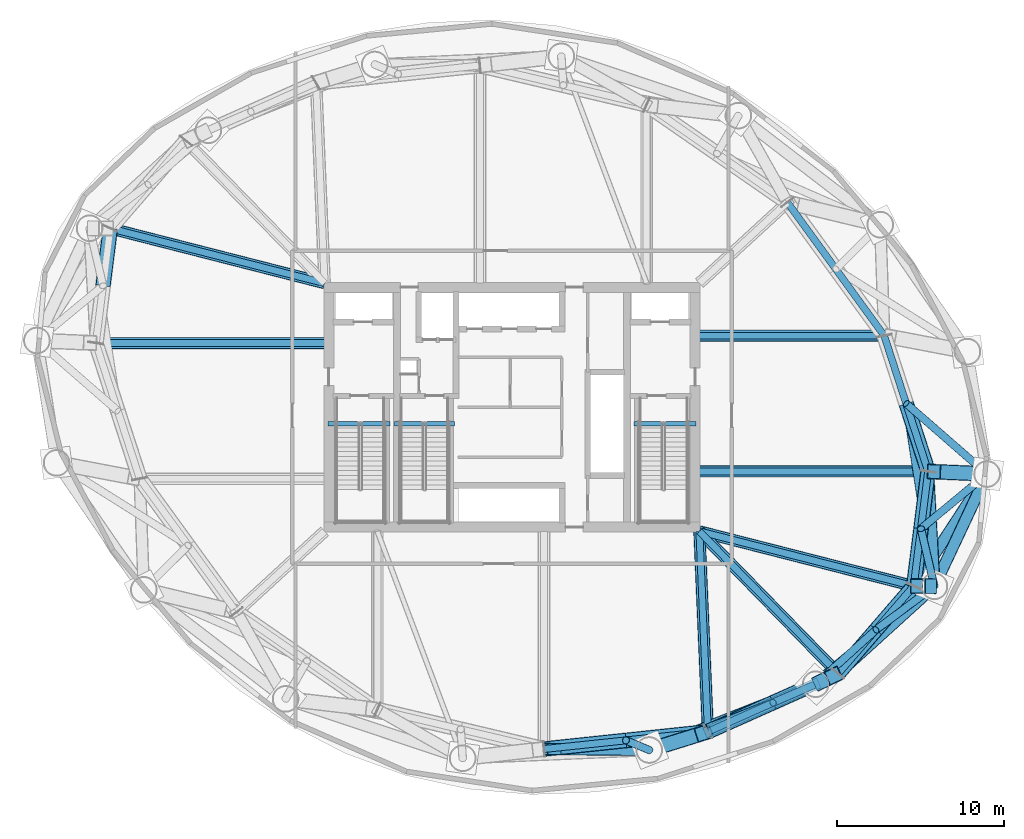
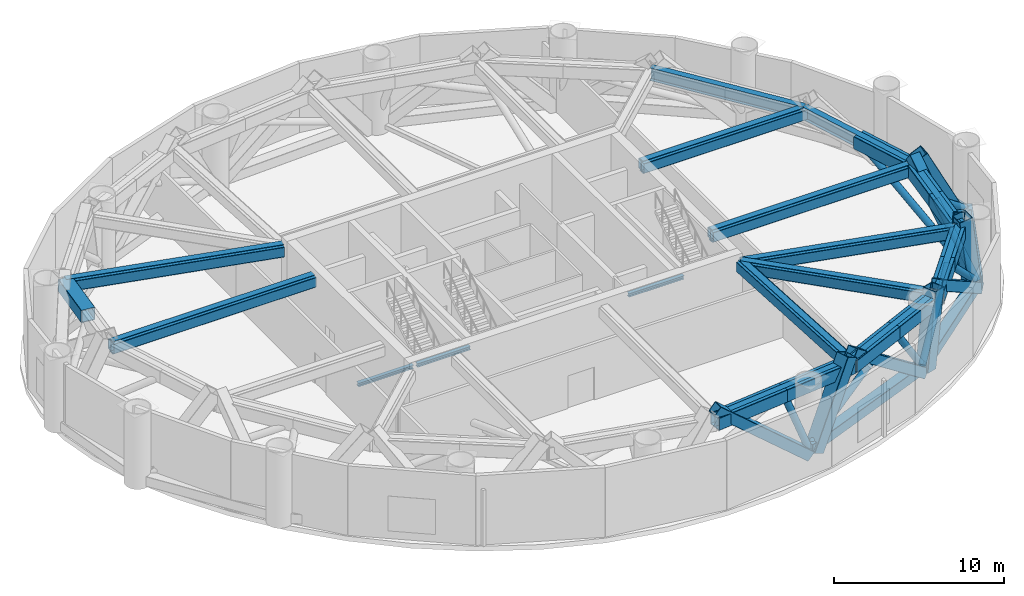
# One storey, part 2 of 13: 38 members, 16 beams.
"""IFC4 building model written with IfcOpenShell, lengths in metres."""

from ifc_helpers import new_model, si_unit, direction, frame, origin, origin_2d, place, context, subcontext, project, spatial, hollow_rectangle, hollow_circle, i_section, extrude, material, material_profile, profile_set, type_object, element, save


model = new_model("IFC4")

# Units and contexts
model_context = context("Model", 3, precision=1e-05, world=origin(), true_north=direction((0.0, 1.0)))
body_context = subcontext(model_context, "Body", "Model", "MODEL_VIEW")
ifc_project = project(units=[si_unit("LENGTHUNIT", "METRE"), si_unit("AREAUNIT", "SQUARE_METRE"), si_unit("VOLUMEUNIT", "CUBIC_METRE"), si_unit("PLANEANGLEUNIT", "RADIAN"), si_unit("MASSUNIT", "GRAM", prefix="KILO")], contexts=[model_context])

# Site, building, storey
site_placement = place(None, origin())
site = spatial("IfcSite", under=ifc_project, at=site_placement, CompositionType="ELEMENT")
building_placement = place(site_placement, origin())
building = spatial("IfcBuilding", under=site, at=building_placement, Name="Bramvorn Convention Spire", CompositionType="ELEMENT")
storey_placement = place(building_placement, frame((0.0, 0.0, 97.39990234375)))
storey = spatial("IfcBuildingStorey", under=building, at=storey_placement, Name="L23", CompositionType="ELEMENT", Elevation=97.39990234375)

# Beams
ifc_material = material(Name="Steel CSA G40.21 Grade 350 (350W)", Category="steel")
ifc_material_profile_1 = material_profile(ifc_material, i_section(OverallWidth=0.25390625, OverallDepth=0.2529296875, WebThickness=0.008544921875, FlangeThickness=0.01416015625, FilletRadius=0.011962890625, at=origin_2d()))
ifc_profile_set_1 = profile_set([ifc_material_profile_1], Name="Steel CSA G40.21 Grade 350 (350W) - W250X73")
beam_type_1 = type_object("IfcBeamType", Name="BM-W250X73", PredefinedType="BEAM", material=ifc_profile_set_1)
for number, where, z_axis, x_axis, name in (
    (1, (26.949951171875, 25.010009765625, -0.12646484375), (1.0, 0.0, 0.0), (0.0, 1.0, 0.0), "L23 ST1 stair arrival header beam"),
    (2, (45.31005859375, 25.010009765625, -0.12646484375), (1.0, 0.0, 0.0), (0.0, 1.0, 0.0), "L23 ST2 stair arrival header beam"),
):
    element("IfcBeam", number, at=place(storey_placement, frame(where, z_axis=z_axis, x_axis=x_axis)), inside=storey, type_object=beam_type_1, Name=name, PredefinedType="BEAM", context=body_context, shape_type="SweptSolid", body=[
        extrude(i_section(OverallWidth=0.25390625, OverallDepth=0.2529296875, WebThickness=0.008544921875, FlangeThickness=0.01416015625, FilletRadius=0.011962890625, at=origin_2d()), origin(), (0.0, 0.0, 1.0), 3.739990234375),
    ])
beam_1_placement = place(storey_placement, frame((30.949951171875, 25.010009765625, -0.12646484375), z_axis=(1.0, 0.0, 0.0), x_axis=(0.0, 1.0, 0.0)))
element("IfcBeam", 3, at=beam_1_placement, inside=storey, type_object=beam_type_1, Name="L23 ST3 stair arrival header beam", PredefinedType="BEAM", context=body_context, shape_type="SweptSolid", body=[
    extrude(i_section(OverallWidth=0.25390625, OverallDepth=0.2529296875, WebThickness=0.008544921875, FlangeThickness=0.01416015625, FilletRadius=0.011962890625, at=origin_2d()), origin(), (0.0, 0.0, 1.0), 3.610107421875),
])
ifc_material_profile_2 = material_profile(ifc_material, i_section(OverallWidth=0.41796875, OverallDepth=0.912109375, WebThickness=0.019287109375, FlangeThickness=0.031982421875, FilletRadius=0.02392578125, at=origin_2d()))
ifc_profile_set_2 = profile_set([ifc_material_profile_2], Name="Steel CSA G40.21 Grade 350 (350W) - W920X342")
beam_type_2 = type_object("IfcBeamType", Name="BM-W920X342", PredefinedType="BEAM", material=ifc_profile_set_2)
beam_2_placement = place(storey_placement, frame((62.11767578125, 15.26220703125, 4.524169921875), z_axis=(0.124775053879, 0.992185056292, 0.0), x_axis=(-0.992185056292, 0.124775053879, 0.0)))
element("IfcBeam", 4, at=beam_2_placement, inside=storey, type_object=beam_type_2, Name="L23 step-in transfer ring girder 01", PredefinedType="BEAM", context=body_context, shape_type="SweptSolid", body=[
    extrude(i_section(OverallWidth=0.41796875, OverallDepth=0.912109375, WebThickness=0.019287109375, FlangeThickness=0.031982421875, FilletRadius=0.02392578125, at=origin_2d()), origin(), (0.0, 0.0, 1.0), 6.940185546875),
])
beam_3_placement = place(storey_placement, frame((49.25, 18.550048828125, 4.524169921875), z_axis=(0.968872976577, -0.247558387576, 0.0), x_axis=(0.247558387576, 0.968872976577, 0.0)))
element("IfcBeam", 5, at=beam_3_placement, inside=storey, type_object=beam_type_2, Name="L23 step-in radial transfer girder MC01", PredefinedType="BEAM", context=body_context, shape_type="SweptSolid", body=[
    extrude(i_section(OverallWidth=0.41796875, OverallDepth=0.912109375, WebThickness=0.019287109375, FlangeThickness=0.031982421875, FilletRadius=0.02392578125, at=origin_2d()), origin(), (0.0, 0.0, 1.0), 13.281005859375),
])
beam_4_placement = place(storey_placement, frame((62.983642578125, 22.148193359375, 4.524169921875), z_axis=(-0.308114853612, 0.951349166701, 0.0), x_axis=(-0.951349166701, -0.308114853612, 0.0)))
element("IfcBeam", 6, at=beam_4_placement, inside=storey, type_object=beam_type_2, Name="L23 step-in transfer ring girder 02", PredefinedType="BEAM", context=body_context, shape_type="SweptSolid", body=[
    extrude(i_section(OverallWidth=0.41796875, OverallDepth=0.912109375, WebThickness=0.019287109375, FlangeThickness=0.031982421875, FilletRadius=0.02392578125, at=origin_2d()), origin(), (0.0, 0.0, 1.0), 8.5615234375),
])
beam_5_placement = place(storey_placement, frame((49.25, 22.148193359375, 4.524169921875), z_axis=(1.0, 0.0, 0.0), x_axis=(0.0, 1.0, 0.0)))
element("IfcBeam", 7, at=beam_5_placement, inside=storey, type_object=beam_type_2, Name="L23 step-in radial transfer girder MC02", PredefinedType="BEAM", context=body_context, shape_type="SweptSolid", body=[
    extrude(i_section(OverallWidth=0.41796875, OverallDepth=0.912109375, WebThickness=0.019287109375, FlangeThickness=0.031982421875, FilletRadius=0.02392578125, at=origin_2d()), origin(), (0.0, 0.0, 1.0), 13.733642578125),
])
beam_6_placement = place(storey_placement, frame((60.345703125, 30.293212890625, 4.524169921875), z_axis=(-0.587401024629, 0.809296012757, 0.0), x_axis=(-0.809296012757, -0.587401024629, 0.0)))
element("IfcBeam", 8, at=beam_6_placement, inside=storey, type_object=beam_type_2, Name="L23 step-in transfer ring girder 03", PredefinedType="BEAM", context=body_context, shape_type="SweptSolid", body=[
    extrude(i_section(OverallWidth=0.41796875, OverallDepth=0.912109375, WebThickness=0.019287109375, FlangeThickness=0.031982421875, FilletRadius=0.02392578125, at=origin_2d()), origin(), (0.0, 0.0, 1.0), 9.892333984375),
])
beam_7_placement = place(storey_placement, frame((49.25, 30.293212890625, 4.524169921875), z_axis=(1.0, 0.0, 0.0), x_axis=(0.0, 1.0, 0.0)))
element("IfcBeam", 9, at=beam_7_placement, inside=storey, type_object=beam_type_2, Name="L23 step-in radial transfer girder MC03", PredefinedType="BEAM", context=body_context, shape_type="SweptSolid", body=[
    extrude(i_section(OverallWidth=0.41796875, OverallDepth=0.912109375, WebThickness=0.019287109375, FlangeThickness=0.031982421875, FilletRadius=0.02392578125, at=origin_2d()), origin(), (0.0, 0.0, 1.0), 11.095703125),
])
beam_8_placement = place(storey_placement, frame((26.75, 33.449951171875, 4.524169921875), z_axis=(-0.968872976577, 0.247558387576, 0.0), x_axis=(-0.247558387576, -0.968872976577, 0.0)))
element("IfcBeam", 10, at=beam_8_placement, inside=storey, type_object=beam_type_2, Name="L23 step-in radial transfer girder MC09", PredefinedType="BEAM", context=body_context, shape_type="SweptSolid", body=[
    extrude(i_section(OverallWidth=0.41796875, OverallDepth=0.912109375, WebThickness=0.019287109375, FlangeThickness=0.031982421875, FilletRadius=0.02392578125, at=origin_2d()), origin(), (0.0, 0.0, 1.0), 13.281005859375),
])
beam_9_placement = place(storey_placement, frame((26.75, 29.851806640625, 4.524169921875), z_axis=(-1.0, 0.0, 0.0), x_axis=(0.0, -1.0, 0.0)))
element("IfcBeam", 11, at=beam_9_placement, inside=storey, type_object=beam_type_2, Name="L23 step-in radial transfer girder MC10", PredefinedType="BEAM", context=body_context, shape_type="SweptSolid", body=[
    extrude(i_section(OverallWidth=0.41796875, OverallDepth=0.912109375, WebThickness=0.019287109375, FlangeThickness=0.031982421875, FilletRadius=0.02392578125, at=origin_2d()), origin(), (0.0, 0.0, 1.0), 13.733642578125),
])
beam_10_placement = place(storey_placement, frame((39.924072265625, 5.482666015625, 4.524169921875), z_axis=(0.994473491975, 0.104987969596, 0.0), x_axis=(-0.104987969596, 0.994473491975, 0.0)))
element("IfcBeam", 12, at=beam_10_placement, inside=storey, type_object=beam_type_2, Name="L23 step-in transfer ring girder 14", PredefinedType="BEAM", context=body_context, shape_type="SweptSolid", body=[
    extrude(i_section(OverallWidth=0.41796875, OverallDepth=0.912109375, WebThickness=0.019287109375, FlangeThickness=0.031982421875, FilletRadius=0.02392578125, at=origin_2d()), origin(), (0.0, 0.0, 1.0), 9.892333984375),
])
beam_11_placement = place(storey_placement, frame((49.76171875, 6.521240234375, 4.524169921875), z_axis=(0.913169534701, 0.407579931908, 0.0), x_axis=(-0.407579931908, 0.913169534701, 0.0)))
element("IfcBeam", 13, at=beam_11_placement, inside=storey, type_object=beam_type_2, Name="L23 step-in transfer ring girder 15", PredefinedType="BEAM", context=body_context, shape_type="SweptSolid", body=[
    extrude(i_section(OverallWidth=0.41796875, OverallDepth=0.912109375, WebThickness=0.019287109375, FlangeThickness=0.031982421875, FilletRadius=0.02392578125, at=origin_2d()), origin(), (0.0, 0.0, 1.0), 8.5615234375),
])
beam_12_placement = place(storey_placement, frame((49.25, 18.550048828125, 4.524169921875), z_axis=(0.042502657955, -0.999096353745, 0.0), x_axis=(0.999096353745, 0.042502657955, 0.0)))
element("IfcBeam", 14, at=beam_12_placement, inside=storey, type_object=beam_type_2, Name="L23 step-in radial transfer girder MC15", PredefinedType="BEAM", context=body_context, shape_type="SweptSolid", body=[
    extrude(i_section(OverallWidth=0.41796875, OverallDepth=0.912109375, WebThickness=0.019287109375, FlangeThickness=0.031982421875, FilletRadius=0.02392578125, at=origin_2d()), origin(), (0.0, 0.0, 1.0), 12.039794921875),
])
beam_13_placement = place(storey_placement, frame((57.579833984375, 10.0107421875, 4.524169921875), z_axis=(0.653824993824, 0.756645807132, 0.0), x_axis=(-0.756645807132, 0.653824993824, 0.0)))
element("IfcBeam", 15, at=beam_13_placement, inside=storey, type_object=beam_type_2, Name="L23 step-in transfer ring girder 16", PredefinedType="BEAM", context=body_context, shape_type="SweptSolid", body=[
    extrude(i_section(OverallWidth=0.41796875, OverallDepth=0.912109375, WebThickness=0.019287109375, FlangeThickness=0.031982421875, FilletRadius=0.02392578125, at=origin_2d()), origin(), (0.0, 0.0, 1.0), 6.9404296875),
])
beam_14_placement = place(storey_placement, frame((49.25, 18.550048828125, 4.524169921875), z_axis=(0.698272445638, -0.715832097397, 0.0), x_axis=(0.715832097397, 0.698272445638, 0.0)))
element("IfcBeam", 16, at=beam_14_placement, inside=storey, type_object=beam_type_2, Name="L23 step-in radial transfer girder MC16", PredefinedType="BEAM", context=body_context, shape_type="SweptSolid", body=[
    extrude(i_section(OverallWidth=0.41796875, OverallDepth=0.912109375, WebThickness=0.019287109375, FlangeThickness=0.031982421875, FilletRadius=0.02392578125, at=origin_2d()), origin(), (0.0, 0.0, 1.0), 11.92919921875),
])

# Members
ifc_material_profile_3 = material_profile(ifc_material, hollow_rectangle(XDim=0.699951171875, YDim=0.699951171875, WallThickness=0.034912109375, InnerFilletRadius=0.0009765625, OuterFilletRadius=0.034912109375, at=origin_2d()))
ifc_profile_set_3 = profile_set([ifc_material_profile_3], Name="Steel CSA G40.21 Grade 350 (350W) - BOX700X700X35")
member_type_1 = type_object("IfcMemberType", Name="MBR-BOX700X700X35", PredefinedType="CHORD", material=ifc_profile_set_3)
member_1_placement = place(storey_placement, frame((66.519775390625, 21.99169921875, 0.0), z_axis=(-0.454462410809, -0.69473694701, 0.557498422976), x_axis=(0.836852998605, -0.547427674425, 0.0)))
element("IfcMember", 17, at=member_1_placement, inside=storey, type_object=member_type_1, Name="L23 step-in secondary transfer strut MC01", PredefinedType="CHORD", context=body_context, shape_type="SweptSolid", body=[
    extrude(hollow_rectangle(XDim=0.699951171875, YDim=0.699951171875, WallThickness=0.034912109375, InnerFilletRadius=0.0009765625, OuterFilletRadius=0.034912109375, at=origin_2d()), origin(), (0.0, 0.0, 1.0), 9.686279296875),
])
member_2_placement = place(storey_placement, frame((49.25, 18.550048828125, 4.530029296875), z_axis=(0.968872976577, -0.247558387576, 0.0), x_axis=(0.247558387576, 0.968872976577, 0.0)))
element("IfcMember", 18, at=member_2_placement, inside=storey, type_object=member_type_1, Name="L23 outrigger top tie MC01", PredefinedType="CHORD", context=body_context, shape_type="SweptSolid", body=[
    extrude(hollow_rectangle(XDim=0.699951171875, YDim=0.699951171875, WallThickness=0.034912109375, InnerFilletRadius=0.0009765625, OuterFilletRadius=0.034912109375, at=origin_2d()), origin(), (0.0, 0.0, 1.0), 13.281005859375),
])
member_3_placement = place(storey_placement, frame((63.35888671875, 15.253662109375, 0.0), z_axis=(-0.042808386289, 0.786537949778, 0.616056406202), x_axis=(-0.998522168896, -0.054345912663, 0.0)))
element("IfcMember", 19, at=member_3_placement, inside=storey, type_object=member_type_1, Name="L23 step-in secondary transfer strut MC02", PredefinedType="CHORD", context=body_context, shape_type="SweptSolid", body=[
    extrude(hollow_rectangle(XDim=0.699951171875, YDim=0.699951171875, WallThickness=0.034912109375, InnerFilletRadius=0.0009765625, OuterFilletRadius=0.034912109375, at=origin_2d()), origin(), (0.0, 0.0, 1.0), 8.765625),
])
member_4_placement = place(storey_placement, frame((49.25, 22.148193359375, 4.530029296875), z_axis=(1.0, 0.0, 0.0), x_axis=(0.0, 1.0, 0.0)))
element("IfcMember", 20, at=member_4_placement, inside=storey, type_object=member_type_1, Name="L23 outrigger top tie MC02", PredefinedType="CHORD", context=body_context, shape_type="SweptSolid", body=[
    extrude(hollow_rectangle(XDim=0.699951171875, YDim=0.699951171875, WallThickness=0.034912109375, InnerFilletRadius=0.0009765625, OuterFilletRadius=0.034912109375, at=origin_2d()), origin(), (0.0, 0.0, 1.0), 13.733642578125),
])
member_5_placement = place(storey_placement, frame((49.25, 30.293212890625, 4.530029296875), z_axis=(1.0, 0.0, 0.0), x_axis=(0.0, 1.0, 0.0)))
element("IfcMember", 21, at=member_5_placement, inside=storey, type_object=member_type_1, Name="L23 outrigger top tie MC03", PredefinedType="CHORD", context=body_context, shape_type="SweptSolid", body=[
    extrude(hollow_rectangle(XDim=0.699951171875, YDim=0.699951171875, WallThickness=0.034912109375, InnerFilletRadius=0.0009765625, OuterFilletRadius=0.034912109375, at=origin_2d()), origin(), (0.0, 0.0, 1.0), 11.095703125),
])
member_6_placement = place(storey_placement, frame((26.75, 33.449951171875, 4.530029296875), z_axis=(-0.968872976577, 0.247558387576, 0.0), x_axis=(-0.247558387576, -0.968872976577, 0.0)))
element("IfcMember", 22, at=member_6_placement, inside=storey, type_object=member_type_1, Name="L23 outrigger top tie MC09", PredefinedType="CHORD", context=body_context, shape_type="SweptSolid", body=[
    extrude(hollow_rectangle(XDim=0.699951171875, YDim=0.699951171875, WallThickness=0.034912109375, InnerFilletRadius=0.0009765625, OuterFilletRadius=0.034912109375, at=origin_2d()), origin(), (0.0, 0.0, 1.0), 13.281005859375),
])
member_7_placement = place(storey_placement, frame((26.75, 29.851806640625, 4.530029296875), z_axis=(-1.0, 0.0, 0.0), x_axis=(0.0, -1.0, 0.0)))
element("IfcMember", 23, at=member_7_placement, inside=storey, type_object=member_type_1, Name="L23 outrigger top tie MC10", PredefinedType="CHORD", context=body_context, shape_type="SweptSolid", body=[
    extrude(hollow_rectangle(XDim=0.699951171875, YDim=0.699951171875, WallThickness=0.034912109375, InnerFilletRadius=0.0009765625, OuterFilletRadius=0.034912109375, at=origin_2d()), origin(), (0.0, 0.0, 1.0), 13.733642578125),
])
member_8_placement = place(storey_placement, frame((46.23779296875, 5.42333984375, 0.4501953125), z_axis=(0.93000950609, 0.367535465749, 0.0), x_axis=(-0.367535465749, 0.93000950609, 0.0)))
element("IfcMember", 24, at=member_8_placement, inside=storey, type_object=member_type_1, Name="L23 belt truss bottom chord 14", PredefinedType="CHORD", context=body_context, shape_type="SweptSolid", body=[
    extrude(hollow_rectangle(XDim=0.699951171875, YDim=0.699951171875, WallThickness=0.034912109375, InnerFilletRadius=0.0009765625, OuterFilletRadius=0.034912109375, at=origin_2d()), origin(), (0.0, 0.0, 1.0), 10.74169921875),
])
member_9_placement = place(storey_placement, frame((46.23779296875, 5.42333984375, 0.0), z_axis=(-0.759927540273, 0.007140574312, 0.649968572882), x_axis=(-0.009395973598, -0.999955856866, 0.0)))
element("IfcMember", 25, at=member_9_placement, inside=storey, type_object=member_type_1, Name="L23 step-in secondary transfer strut MC14", PredefinedType="CHORD", context=body_context, shape_type="SweptSolid", body=[
    extrude(hollow_rectangle(XDim=0.699951171875, YDim=0.699951171875, WallThickness=0.034912109375, InnerFilletRadius=0.0009765625, OuterFilletRadius=0.034912109375, at=origin_2d()), origin(), (0.0, 0.0, 1.0), 8.308349609375),
])
member_10_placement = place(storey_placement, frame((56.227783203125, 9.371337890625, 0.4501953125), z_axis=(0.771417680101, 0.636329130896, 0.0), x_axis=(-0.636329130896, 0.771417680101, 0.0)))
element("IfcMember", 26, at=member_10_placement, inside=storey, type_object=member_type_1, Name="L23 belt truss bottom chord 15", PredefinedType="CHORD", context=body_context, shape_type="SweptSolid", body=[
    extrude(hollow_rectangle(XDim=0.699951171875, YDim=0.699951171875, WallThickness=0.034912109375, InnerFilletRadius=0.0009765625, OuterFilletRadius=0.034912109375, at=origin_2d()), origin(), (0.0, 0.0, 1.0), 9.244140625),
])
member_11_placement = place(storey_placement, frame((56.227783203125, 9.371337890625, 0.0), z_axis=(-0.727053776821, -0.320469163323, 0.607200396055), x_axis=(0.403334814558, -0.915052472466, 0.0)))
element("IfcMember", 27, at=member_11_placement, inside=storey, type_object=member_type_1, Name="L23 step-in secondary transfer strut MC15", PredefinedType="CHORD", context=body_context, shape_type="SweptSolid", body=[
    extrude(hollow_rectangle(XDim=0.699951171875, YDim=0.699951171875, WallThickness=0.034912109375, InnerFilletRadius=0.0009765625, OuterFilletRadius=0.034912109375, at=origin_2d()), origin(), (0.0, 0.0, 1.0), 8.8935546875),
])
member_12_placement = place(storey_placement, frame((49.25, 18.550048828125, 4.530029296875), z_axis=(0.042502657955, -0.999096353745, 0.0), x_axis=(0.999096353745, 0.042502657955, 0.0)))
element("IfcMember", 28, at=member_12_placement, inside=storey, type_object=member_type_1, Name="L23 outrigger top tie MC15", PredefinedType="CHORD", context=body_context, shape_type="SweptSolid", body=[
    extrude(hollow_rectangle(XDim=0.699951171875, YDim=0.699951171875, WallThickness=0.034912109375, InnerFilletRadius=0.0009765625, OuterFilletRadius=0.034912109375, at=origin_2d()), origin(), (0.0, 0.0, 1.0), 12.039794921875),
])
member_13_placement = place(storey_placement, frame((63.35888671875, 15.253662109375, 0.4501953125), z_axis=(0.424701955478, 0.9053332254, 0.0), x_axis=(-0.9053332254, 0.424701955478, 0.0)))
element("IfcMember", 29, at=member_13_placement, inside=storey, type_object=member_type_1, Name="L23 belt truss bottom chord 16", PredefinedType="CHORD", context=body_context, shape_type="SweptSolid", body=[
    extrude(hollow_rectangle(XDim=0.699951171875, YDim=0.699951171875, WallThickness=0.034912109375, InnerFilletRadius=0.0009765625, OuterFilletRadius=0.034912109375, at=origin_2d()), origin(), (0.0, 0.0, 1.0), 7.442626953125),
])
member_14_placement = place(storey_placement, frame((63.35888671875, 15.253662109375, 0.0), z_axis=(-0.609005829752, -0.552507295591, 0.569076082476), x_axis=(0.671917134484, -0.740626332497, 0.0)))
element("IfcMember", 30, at=member_14_placement, inside=storey, type_object=member_type_1, Name="L23 step-in secondary transfer strut MC16", PredefinedType="CHORD", context=body_context, shape_type="SweptSolid", body=[
    extrude(hollow_rectangle(XDim=0.699951171875, YDim=0.699951171875, WallThickness=0.034912109375, InnerFilletRadius=0.0009765625, OuterFilletRadius=0.034912109375, at=origin_2d()), origin(), (0.0, 0.0, 1.0), 9.4892578125),
])
member_15_placement = place(storey_placement, frame((49.25, 18.550048828125, 4.530029296875), z_axis=(0.698272445638, -0.715832097397, 0.0), x_axis=(0.715832097397, 0.698272445638, 0.0)))
element("IfcMember", 31, at=member_15_placement, inside=storey, type_object=member_type_1, Name="L23 outrigger top tie MC16", PredefinedType="CHORD", context=body_context, shape_type="SweptSolid", body=[
    extrude(hollow_rectangle(XDim=0.699951171875, YDim=0.699951171875, WallThickness=0.034912109375, InnerFilletRadius=0.0009765625, OuterFilletRadius=0.034912109375, at=origin_2d()), origin(), (0.0, 0.0, 1.0), 11.92919921875),
])
ifc_material_profile_4 = material_profile(ifc_material, hollow_rectangle(XDim=0.89990234375, YDim=0.89990234375, WallThickness=0.044921875, InnerFilletRadius=0.0009765625, OuterFilletRadius=0.044921875, at=origin_2d()))
ifc_profile_set_4 = profile_set([ifc_material_profile_4], Name="Steel CSA G40.21 Grade 350 (350W) - BOX900X900X45")
member_type_2 = type_object("IfcMemberType", Name="MBR-BOX900X900X45", PredefinedType="CHORD", material=ifc_profile_set_4)
member_16_placement = place(storey_placement, frame((62.11767578125, 15.26220703125, 4.530029296875), z_axis=(0.124736070028, 0.992189958039, 0.0), x_axis=(-0.992189958039, 0.124736070028, 0.0)))
element("IfcMember", 32, at=member_16_placement, inside=storey, type_object=member_type_2, Name="L23 belt truss top chord 1A", PredefinedType="CHORD", context=body_context, shape_type="SweptSolid", body=[
    extrude(hollow_rectangle(XDim=0.89990234375, YDim=0.89990234375, WallThickness=0.044921875, InnerFilletRadius=0.0009765625, OuterFilletRadius=0.044921875, at=origin_2d()), origin(), (0.0, 0.0, 1.0), 3.47021484375),
])
member_17_placement = place(storey_placement, frame((62.550537109375, 18.705322265625, 4.530029296875), z_axis=(0.124814039917, 0.992180152714, 0.0), x_axis=(-0.992180152714, 0.124814039917, 0.0)))
element("IfcMember", 33, at=member_17_placement, inside=storey, type_object=member_type_2, Name="L23 belt truss top chord 1B", PredefinedType="CHORD", context=body_context, shape_type="SweptSolid", body=[
    extrude(hollow_rectangle(XDim=0.89990234375, YDim=0.89990234375, WallThickness=0.044921875, InnerFilletRadius=0.0009765625, OuterFilletRadius=0.044921875, at=origin_2d()), origin(), (0.0, 0.0, 1.0), 3.469970703125),
])
member_18_placement = place(storey_placement, frame((63.048583984375, 15.255859375, 0.0), z_axis=(-0.125409144189, 0.000852208061, 0.992104742603), x_axis=(-0.006795265138, -0.999976911919, 0.0)))
element("IfcMember", 34, at=member_18_placement, inside=storey, type_object=member_type_2, Name="L23 step-in mega-column transfer strut MC01", PredefinedType="CHORD", context=body_context, shape_type="SweptSolid", body=[
    extrude(hollow_rectangle(XDim=0.89990234375, YDim=0.89990234375, WallThickness=0.044921875, InnerFilletRadius=0.0009765625, OuterFilletRadius=0.044921875, at=origin_2d()), origin(), (0.0, 0.0, 1.0), 5.443115234375),
])
member_19_placement = place(storey_placement, frame((62.983642578125, 22.148193359375, 4.530029296875), z_axis=(-0.308089044476, 0.951357525158, 0.0), x_axis=(-0.951357525158, -0.308089044476, 0.0)))
element("IfcMember", 35, at=member_19_placement, inside=storey, type_object=member_type_2, Name="L23 belt truss top chord 2A", PredefinedType="CHORD", context=body_context, shape_type="SweptSolid", body=[
    extrude(hollow_rectangle(XDim=0.89990234375, YDim=0.89990234375, WallThickness=0.044921875, InnerFilletRadius=0.0009765625, OuterFilletRadius=0.044921875, at=origin_2d()), origin(), (0.0, 0.0, 1.0), 4.28076171875),
])
member_20_placement = place(storey_placement, frame((66.070068359375, 22.01171875, 0.0), z_axis=(-0.451939854179, 0.019998409106, 0.891824215772), x_axis=(-0.044206897051, -0.999022397273, 0.0)))
element("IfcMember", 36, at=member_20_placement, inside=storey, type_object=member_type_2, Name="L23 step-in mega-column transfer strut MC02", PredefinedType="CHORD", context=body_context, shape_type="SweptSolid", body=[
    extrude(hollow_rectangle(XDim=0.89990234375, YDim=0.89990234375, WallThickness=0.044921875, InnerFilletRadius=0.0009765625, OuterFilletRadius=0.044921875, at=origin_2d()), origin(), (0.0, 0.0, 1.0), 6.05517578125),
])
member_21_placement = place(storey_placement, frame((13.88232421875, 36.73779296875, 4.530029296875), z_axis=(-0.124736070028, -0.992189958039, 0.0), x_axis=(0.992189958039, -0.124736070028, 0.0)))
element("IfcMember", 37, at=member_21_placement, inside=storey, type_object=member_type_2, Name="L23 belt truss top chord 9A", PredefinedType="CHORD", context=body_context, shape_type="SweptSolid", body=[
    extrude(hollow_rectangle(XDim=0.89990234375, YDim=0.89990234375, WallThickness=0.044921875, InnerFilletRadius=0.0009765625, OuterFilletRadius=0.044921875, at=origin_2d()), origin(), (0.0, 0.0, 1.0), 3.47021484375),
])
member_22_placement = place(storey_placement, frame((39.924072265625, 5.482666015625, 4.530029296875), z_axis=(0.994473763997, 0.104985392894, 0.0), x_axis=(-0.104985392894, 0.994473763997, 0.0)))
element("IfcMember", 38, at=member_22_placement, inside=storey, type_object=member_type_2, Name="L23 belt truss top chord 14A", PredefinedType="CHORD", context=body_context, shape_type="SweptSolid", body=[
    extrude(hollow_rectangle(XDim=0.89990234375, YDim=0.89990234375, WallThickness=0.044921875, InnerFilletRadius=0.0009765625, OuterFilletRadius=0.044921875, at=origin_2d()), origin(), (0.0, 0.0, 1.0), 4.9462890625),
])
member_23_placement = place(storey_placement, frame((44.843017578125, 6.001953125, 4.530029296875), z_axis=(0.994473219932, 0.104990546424, 0.0), x_axis=(-0.104990546424, 0.994473219932, 0.0)))
element("IfcMember", 39, at=member_23_placement, inside=storey, type_object=member_type_2, Name="L23 belt truss top chord 14B", PredefinedType="CHORD", context=body_context, shape_type="SweptSolid", body=[
    extrude(hollow_rectangle(XDim=0.89990234375, YDim=0.89990234375, WallThickness=0.044921875, InnerFilletRadius=0.0009765625, OuterFilletRadius=0.044921875, at=origin_2d()), origin(), (0.0, 0.0, 1.0), 4.946044921875),
])
member_24_placement = place(storey_placement, frame((49.76171875, 6.521240234375, 4.530029296875), z_axis=(0.913163658577, 0.407593096918, 0.0), x_axis=(-0.407593096918, 0.913163658577, 0.0)))
element("IfcMember", 40, at=member_24_placement, inside=storey, type_object=member_type_2, Name="L23 belt truss top chord 15A", PredefinedType="CHORD", context=body_context, shape_type="SweptSolid", body=[
    extrude(hollow_rectangle(XDim=0.89990234375, YDim=0.89990234375, WallThickness=0.044921875, InnerFilletRadius=0.0009765625, OuterFilletRadius=0.044921875, at=origin_2d()), origin(), (0.0, 0.0, 1.0), 4.281005859375),
])
member_25_placement = place(storey_placement, frame((53.6708984375, 8.26611328125, 4.530029296875), z_axis=(0.913175411078, 0.407566765821, 0.0), x_axis=(-0.407566765821, 0.913175411078, 0.0)))
element("IfcMember", 41, at=member_25_placement, inside=storey, type_object=member_type_2, Name="L23 belt truss top chord 15B", PredefinedType="CHORD", context=body_context, shape_type="SweptSolid", body=[
    extrude(hollow_rectangle(XDim=0.89990234375, YDim=0.89990234375, WallThickness=0.044921875, InnerFilletRadius=0.0009765625, OuterFilletRadius=0.044921875, at=origin_2d()), origin(), (0.0, 0.0, 1.0), 4.280517578125),
])
member_26_placement = place(storey_placement, frame((46.667236328125, 5.55712890625, 0.0), z_axis=(0.450625211467, 0.140416824695, 0.881600836055), x_axis=(-0.297495966172, 0.954723075091, 0.0)))
element("IfcMember", 42, at=member_26_placement, inside=storey, type_object=member_type_2, Name="L23 step-in mega-column transfer strut MC15", PredefinedType="CHORD", context=body_context, shape_type="SweptSolid", body=[
    extrude(hollow_rectangle(XDim=0.89990234375, YDim=0.89990234375, WallThickness=0.044921875, InnerFilletRadius=0.0009765625, OuterFilletRadius=0.044921875, at=origin_2d()), origin(), (0.0, 0.0, 1.0), 6.12548828125),
])
for number, where, z_axis, x_axis, name in (
    (43, (57.579833984375, 10.0107421875, 4.530029296875), (0.653804854149, 0.756663209553, 0.0), (-0.756663209553, 0.653804854149, 0.0), "L23 belt truss top chord 16A"),
    (44, (59.8486328125, 12.636474609375, 4.530029296875), (0.65384513211, 0.756628404976, 0.0), (-0.756628404976, 0.65384513211, 0.0), "L23 belt truss top chord 16B"),
):
    element("IfcMember", number, at=place(storey_placement, frame(where, z_axis=z_axis, x_axis=x_axis)), inside=storey, type_object=member_type_2, Name=name, PredefinedType="CHORD", context=body_context, shape_type="SweptSolid", body=[
        extrude(hollow_rectangle(XDim=0.89990234375, YDim=0.89990234375, WallThickness=0.044921875, InnerFilletRadius=0.0009765625, OuterFilletRadius=0.044921875, at=origin_2d()), origin(), (0.0, 0.0, 1.0), 3.47021484375),
    ])
member_27_placement = place(storey_placement, frame((56.56591796875, 9.53125, 0.0), z_axis=(0.136095480188, 0.064360424128, 0.988602931454), x_axis=(-0.427511970451, 0.904009687515, 0.0)))
element("IfcMember", 45, at=member_27_placement, inside=storey, type_object=member_type_2, Name="L23 step-in mega-column transfer strut MC16", PredefinedType="CHORD", context=body_context, shape_type="SweptSolid", body=[
    extrude(hollow_rectangle(XDim=0.89990234375, YDim=0.89990234375, WallThickness=0.044921875, InnerFilletRadius=0.0009765625, OuterFilletRadius=0.044921875, at=origin_2d()), origin(), (0.0, 0.0, 1.0), 5.46240234375),
])
ifc_material_profile_5 = material_profile(ifc_material, hollow_circle(Radius=0.228515625, WallThickness=0.01904296875, at=origin_2d()))
ifc_profile_set_5 = profile_set([ifc_material_profile_5], Name="Steel CSA G40.21 Grade 350 (350W) - CHS457X19")
member_type_3 = type_object("IfcMemberType", Name="MBR-CHS457X19", PredefinedType="BRACE", material=ifc_profile_set_5)
member_28_placement = place(storey_placement, frame((63.35888671875, 15.253662109375, 0.4501953125), z_axis=(-0.149559971451, 0.638622433216, 0.754846476267), x_axis=(-0.973655981415, -0.228021994233, 0.0)))
element("IfcMember", 46, at=member_28_placement, inside=storey, type_object=member_type_3, Name="L23 ring belt diagonal 1A", PredefinedType="BRACE", context=body_context, shape_type="SweptSolid", body=[
    extrude(hollow_circle(Radius=0.228515625, WallThickness=0.01904296875, at=origin_2d()), origin(), (0.0, 0.0, 1.0), 5.40478515625),
])
member_29_placement = place(storey_placement, frame((66.519775390625, 21.99169921875, 0.4501953125), z_axis=(-0.603899175315, -0.500005338843, 0.620725742323), x_axis=(0.637739317971, -0.770252271865, 0.0)))
element("IfcMember", 47, at=member_29_placement, inside=storey, type_object=member_type_3, Name="L23 ring belt diagonal 1B", PredefinedType="BRACE", context=body_context, shape_type="SweptSolid", body=[
    extrude(hollow_circle(Radius=0.228515625, WallThickness=0.01904296875, at=origin_2d()), origin(), (0.0, 0.0, 1.0), 6.57275390625),
])
member_30_placement = place(storey_placement, frame((66.519775390625, 21.99169921875, 0.4501953125), z_axis=(-0.636939371663, 0.55481563894, 0.535245591867), x_axis=(-0.656822476472, -0.754045246919, 0.0)))
element("IfcMember", 48, at=member_30_placement, inside=storey, type_object=member_type_3, Name="L23 ring belt diagonal 2A", PredefinedType="BRACE", context=body_context, shape_type="SweptSolid", body=[
    extrude(hollow_circle(Radius=0.228515625, WallThickness=0.01904296875, at=origin_2d()), origin(), (0.0, 0.0, 1.0), 7.622314453125),
])
member_31_placement = place(storey_placement, frame((63.35888671875, 15.253662109375, 0.4501953125), z_axis=(-0.143283889871, 0.927576829064, 0.345066592251), x_axis=(-0.988278679514, -0.152660576504, 0.0)))
element("IfcMember", 49, at=member_31_placement, inside=storey, type_object=member_type_3, Name="L23 ring belt diagonal 2B", PredefinedType="BRACE", context=body_context, shape_type="SweptSolid", body=[
    extrude(hollow_circle(Radius=0.228515625, WallThickness=0.01904296875, at=origin_2d()), origin(), (0.0, 0.0, 1.0), 11.8232421875),
])
member_32_placement = place(storey_placement, frame((46.23779296875, 5.42333984375, 0.4501953125), z_axis=(-0.320614833882, 0.133004928461, 0.937825046211), x_axis=(-0.383179896638, -0.923673733963, 0.0)))
element("IfcMember", 50, at=member_32_placement, inside=storey, type_object=member_type_3, Name="L23 ring belt diagonal 14B", PredefinedType="BRACE", context=body_context, shape_type="SweptSolid", body=[
    extrude(hollow_circle(Radius=0.228515625, WallThickness=0.01904296875, at=origin_2d()), origin(), (0.0, 0.0, 1.0), 4.350341796875),
])
member_33_placement = place(storey_placement, frame((46.23779296875, 5.42333984375, 0.4501953125), z_axis=(0.831163538082, 0.317876510459, 0.456203569759), x_axis=(-0.357214611532, 0.93402233448, 0.0)))
element("IfcMember", 51, at=member_33_placement, inside=storey, type_object=member_type_3, Name="L23 ring belt diagonal 15A", PredefinedType="BRACE", context=body_context, shape_type="SweptSolid", body=[
    extrude(hollow_circle(Radius=0.228515625, WallThickness=0.01904296875, at=origin_2d()), origin(), (0.0, 0.0, 1.0), 8.943115234375),
])
member_34_placement = place(storey_placement, frame((56.227783203125, 9.371337890625, 0.4501953125), z_axis=(-0.517581365682, -0.223726806306, 0.825866724139), x_axis=(0.396773447609, -0.917916570976, 0.0)))
element("IfcMember", 52, at=member_34_placement, inside=storey, type_object=member_type_3, Name="L23 ring belt diagonal 15B", PredefinedType="BRACE", context=body_context, shape_type="SweptSolid", body=[
    extrude(hollow_circle(Radius=0.228515625, WallThickness=0.01904296875, at=origin_2d()), origin(), (0.0, 0.0, 1.0), 4.93994140625),
])
member_35_placement = place(storey_placement, frame((56.227783203125, 9.371337890625, 0.4501953125), z_axis=(0.569547540589, 0.513595091891, 0.641744248587), x_axis=(-0.669686474074, 0.742643943248, 0.0)))
element("IfcMember", 53, at=member_35_placement, inside=storey, type_object=member_type_3, Name="L23 ring belt diagonal 16A", PredefinedType="BRACE", context=body_context, shape_type="SweptSolid", body=[
    extrude(hollow_circle(Radius=0.228515625, WallThickness=0.01904296875, at=origin_2d()), origin(), (0.0, 0.0, 1.0), 6.357421875),
])
member_36_placement = place(storey_placement, frame((63.35888671875, 15.253662109375, 0.4501953125), z_axis=(-0.586538283152, -0.437313283864, 0.681711034202), x_axis=(0.59773156589, -0.801696311042, 0.0)))
element("IfcMember", 54, at=member_36_placement, inside=storey, type_object=member_type_3, Name="L23 ring belt diagonal 16B", PredefinedType="BRACE", context=body_context, shape_type="SweptSolid", body=[
    extrude(hollow_circle(Radius=0.228515625, WallThickness=0.01904296875, at=origin_2d()), origin(), (0.0, 0.0, 1.0), 5.984619140625),
])

save(model, "model.ifc")
